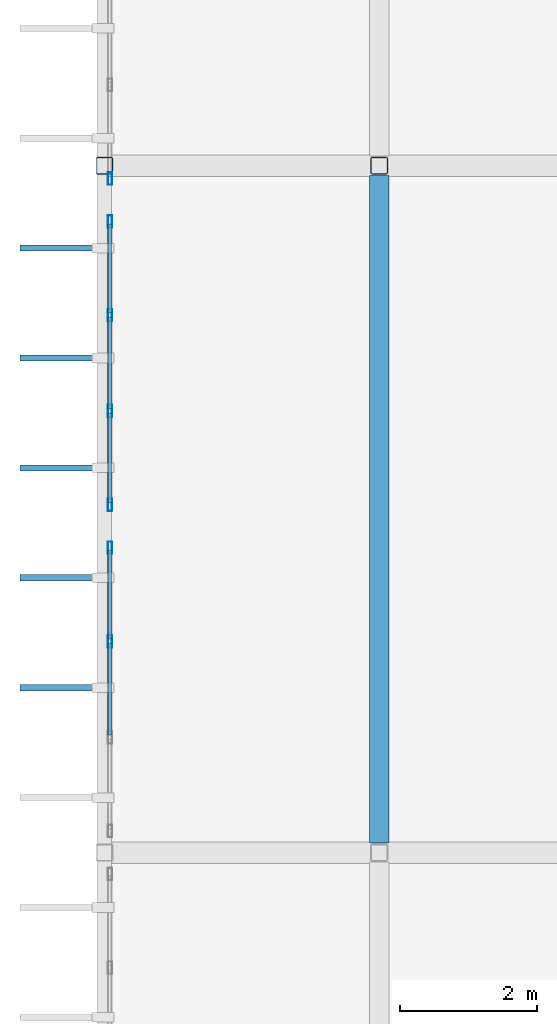
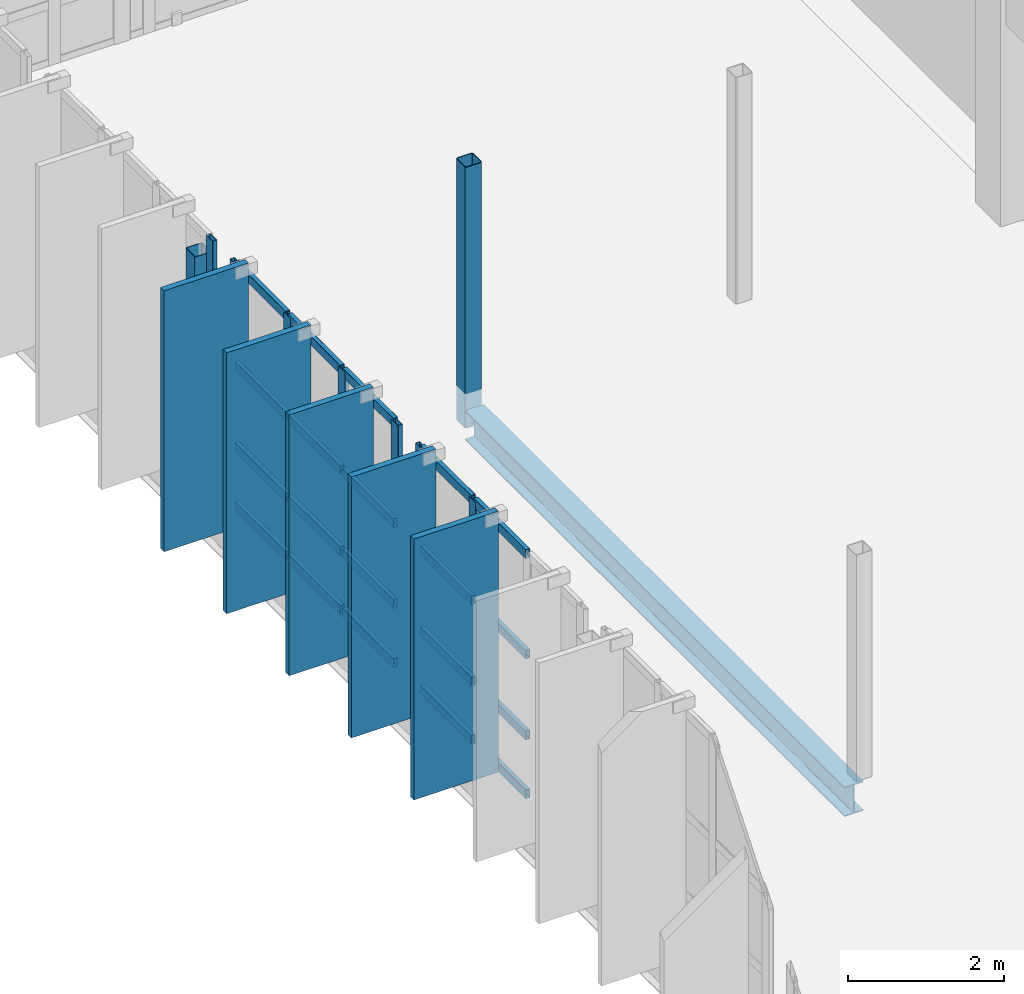
# One storey, part 27 of 80: 34 members, 1 beam, 3 elements without a shape of their own.
"""IFC4 building model written with IfcOpenShell, lengths in metres."""

from ifc_helpers import new_model, si_unit, direction, frame, origin, origin_2d, place, context, subcontext, project, spatial, rectangle, hollow_rectangle, i_section, extrude, material, material_profile, profile_set, type_object, element, aggregate, save


model = new_model("IFC4")

# Units and contexts
model_context = context("Model", 3, precision=1e-05, world=origin(), true_north=direction((0.0, 1.0)))
body_context = subcontext(model_context, "Body", "Model", "MODEL_VIEW")
ifc_project = project(units=[si_unit("LENGTHUNIT", "METRE"), si_unit("AREAUNIT", "SQUARE_METRE"), si_unit("VOLUMEUNIT", "CUBIC_METRE"), si_unit("PLANEANGLEUNIT", "RADIAN"), si_unit("MASSUNIT", "GRAM", prefix="KILO")], contexts=[model_context])

# Site, building, storey
site_placement = place(None, origin())
site = spatial("IfcSite", under=ifc_project, at=site_placement, CompositionType="ELEMENT")
building_placement = place(site_placement, origin())
building = spatial("IfcBuilding", under=site, at=building_placement, Name="Miravela Opera House", CompositionType="ELEMENT")
storey_placement = place(building_placement, frame((0.0, 0.0, 17.679931640625)))
storey = spatial("IfcBuildingStorey", under=building, at=storey_placement, Name="L04", CompositionType="ELEMENT", Elevation=17.679931640625)

# Curtain wall, members
ifc_material_1 = material(Name="Anodised architectural bronze aluminium 6063-T6", Category="aluminium")
curtain_wall_type = type_object("IfcCurtainWallType", Name="ARC-CW-02", PredefinedType="NOTDEFINED", material=ifc_material_1)
curtain_wall_1_placement = place(storey_placement, origin())
curtain_wall_1 = element("IfcCurtainWall", 1, at=curtain_wall_1_placement, inside=storey, type_object=curtain_wall_type, Name="Cantilever West Wrapper Glazing B5 CW-L04-031", PredefinedType="NOTDEFINED")
ifc_material_profile_1 = material_profile(ifc_material_1, hollow_rectangle(XDim=0.06494140625, YDim=0.179931640625, WallThickness=0.00390625, InnerFilletRadius=0.001953125, OuterFilletRadius=0.00390625, at=origin_2d()), Name="CWM-65X180")
ifc_profile_set_1 = profile_set([ifc_material_profile_1])
member_type_1 = type_object("IfcMemberType", Name="ARC-CWM-180", PredefinedType="MULLION", material=ifc_profile_set_1)
member_1_placement = place(storey_placement, frame((15.080078125, 59.0732421875, 0.0), z_axis=(0.0, 0.0, 1.0), x_axis=(-1.0, 0.0, 0.0)))
member_1 = element("IfcMember", 2, at=member_1_placement, type_object=member_type_1, Name="CW-02 mullion 3", PredefinedType="MULLION", context=body_context, shape_type="SweptSolid", body=[
    extrude(hollow_rectangle(XDim=0.06494140625, YDim=0.179931640625, WallThickness=0.00390625, InnerFilletRadius=0.001953125, OuterFilletRadius=0.00390625, at=origin_2d()), origin(), (0.0, 0.0, 1.0), 3.820068359375),
])
member_2_placement = place(storey_placement, frame((15.080078125, 60.4375, 0.0), z_axis=(0.0, 0.0, 1.0), x_axis=(-1.0, 0.0, 0.0)))
member_2 = element("IfcMember", 3, at=member_2_placement, type_object=member_type_1, Name="CW-02 mullion 4", PredefinedType="MULLION", context=body_context, shape_type="SweptSolid", body=[
    extrude(hollow_rectangle(XDim=0.06494140625, YDim=0.179931640625, WallThickness=0.00390625, InnerFilletRadius=0.001953125, OuterFilletRadius=0.00390625, at=origin_2d()), origin(), (0.0, 0.0, 1.0), 3.820068359375),
])

curtain_wall_2_placement = place(storey_placement, origin())
curtain_wall_2 = element("IfcCurtainWall", 4, at=curtain_wall_2_placement, inside=storey, type_object=curtain_wall_type, Name="Cantilever West Wrapper Glazing B6 CW-L04-032", PredefinedType="NOTDEFINED")
member_3_placement = place(storey_placement, frame((15.080078125, 61.0625, 0.0), z_axis=(0.0, 0.0, 1.0), x_axis=(-1.0, 0.0, 0.0)))
member_3 = element("IfcMember", 5, at=member_3_placement, type_object=member_type_1, Name="CW-02 mullion 1", PredefinedType="MULLION", context=body_context, shape_type="SweptSolid", body=[
    extrude(hollow_rectangle(XDim=0.06494140625, YDim=0.179931640625, WallThickness=0.00390625, InnerFilletRadius=0.001953125, OuterFilletRadius=0.00390625, at=origin_2d()), origin(), (0.0, 0.0, 1.0), 3.820068359375),
])
member_4_placement = place(storey_placement, frame((15.080078125, 62.4267578125, 0.0), z_axis=(0.0, 0.0, 1.0), x_axis=(-1.0, 0.0, 0.0)))
member_4 = element("IfcMember", 6, at=member_4_placement, type_object=member_type_1, Name="CW-02 mullion 2", PredefinedType="MULLION", context=body_context, shape_type="SweptSolid", body=[
    extrude(hollow_rectangle(XDim=0.06494140625, YDim=0.179931640625, WallThickness=0.00390625, InnerFilletRadius=0.001953125, OuterFilletRadius=0.00390625, at=origin_2d()), origin(), (0.0, 0.0, 1.0), 3.820068359375),
])
member_5_placement = place(storey_placement, frame((15.080078125, 63.8232421875, 0.0), z_axis=(0.0, 0.0, 1.0), x_axis=(-1.0, 0.0, 0.0)))
member_5 = element("IfcMember", 7, at=member_5_placement, type_object=member_type_1, Name="CW-02 mullion 3", PredefinedType="MULLION", context=body_context, shape_type="SweptSolid", body=[
    extrude(hollow_rectangle(XDim=0.06494140625, YDim=0.179931640625, WallThickness=0.00390625, InnerFilletRadius=0.001953125, OuterFilletRadius=0.00390625, at=origin_2d()), origin(), (0.0, 0.0, 1.0), 3.820068359375),
])
member_6_placement = place(storey_placement, frame((15.080078125, 65.1875, 0.0), z_axis=(0.0, 0.0, 1.0), x_axis=(-1.0, 0.0, 0.0)))
member_6 = element("IfcMember", 8, at=member_6_placement, type_object=member_type_1, Name="CW-02 mullion 4", PredefinedType="MULLION", context=body_context, shape_type="SweptSolid", body=[
    extrude(hollow_rectangle(XDim=0.06494140625, YDim=0.179931640625, WallThickness=0.00390625, InnerFilletRadius=0.001953125, OuterFilletRadius=0.00390625, at=origin_2d()), origin(), (0.0, 0.0, 1.0), 3.820068359375),
])

# Curtain wall, member
curtain_wall_3_placement = place(storey_placement, origin())
curtain_wall_3 = element("IfcCurtainWall", 9, at=curtain_wall_3_placement, inside=storey, type_object=curtain_wall_type, Name="Cantilever West Wrapper Glazing B7 CW-L04-033", PredefinedType="NOTDEFINED")
member_7_placement = place(storey_placement, frame((15.080078125, 65.8125, 0.0), z_axis=(0.0, 0.0, 1.0), x_axis=(-1.0, 0.0, 0.0)))
member_7 = element("IfcMember", 10, at=member_7_placement, type_object=member_type_1, Name="CW-02 mullion 1", PredefinedType="MULLION", context=body_context, shape_type="SweptSolid", body=[
    extrude(hollow_rectangle(XDim=0.06494140625, YDim=0.179931640625, WallThickness=0.00390625, InnerFilletRadius=0.001953125, OuterFilletRadius=0.00390625, at=origin_2d()), origin(), (0.0, 0.0, 1.0), 3.820068359375),
])
aggregate(curtain_wall_3, [member_7])

# Member
ifc_material_profile_2 = material_profile(ifc_material_1, hollow_rectangle(XDim=0.06494140625, YDim=0.139892578125, WallThickness=0.00390625, InnerFilletRadius=0.001953125, OuterFilletRadius=0.00390625, at=origin_2d()), Name="CWT-65X140")
ifc_profile_set_2 = profile_set([ifc_material_profile_2])
member_type_2 = type_object("IfcMemberType", Name="ARC-CWT-140", PredefinedType="USERDEFINED", material=ifc_profile_set_2)
member_8_placement = place(storey_placement, frame((15.080078125, 57.709228515625, 0.032470703125), z_axis=(0.0, 1.0, 0.0), x_axis=(-1.0, 0.0, 0.0)))
member_8 = element("IfcMember", 11, at=member_8_placement, type_object=member_type_2, Name="CW-02 transom 2.1", ObjectType="TRANSOM", PredefinedType="USERDEFINED", context=body_context, shape_type="SweptSolid", body=[
    extrude(hollow_rectangle(XDim=0.06494140625, YDim=0.139892578125, WallThickness=0.00390625, InnerFilletRadius=0.001953125, OuterFilletRadius=0.00390625, at=origin_2d()), origin(), (0.0, 0.0, 1.0), 1.33154296875),
])

member_9_placement = place(storey_placement, frame((15.080078125, 57.709228515625, 0.949951171875), z_axis=(0.0, 1.0, 0.0), x_axis=(-1.0, 0.0, 0.0)))
member_9 = element("IfcMember", 12, at=member_9_placement, type_object=member_type_2, Name="CW-02 transom 2.2", ObjectType="TRANSOM", PredefinedType="USERDEFINED", context=body_context, shape_type="SweptSolid", body=[
    extrude(hollow_rectangle(XDim=0.06494140625, YDim=0.139892578125, WallThickness=0.00390625, InnerFilletRadius=0.001953125, OuterFilletRadius=0.00390625, at=origin_2d()), origin(), (0.0, 0.0, 1.0), 1.33154296875),
])

member_10_placement = place(storey_placement, frame((15.080078125, 57.709228515625, 2.215576171875), z_axis=(0.0, 1.0, 0.0), x_axis=(-1.0, 0.0, 0.0)))
member_10 = element("IfcMember", 13, at=member_10_placement, type_object=member_type_2, Name="CW-02 transom 2.3", ObjectType="TRANSOM", PredefinedType="USERDEFINED", context=body_context, shape_type="SweptSolid", body=[
    extrude(hollow_rectangle(XDim=0.06494140625, YDim=0.139892578125, WallThickness=0.00390625, InnerFilletRadius=0.001953125, OuterFilletRadius=0.00390625, at=origin_2d()), origin(), (0.0, 0.0, 1.0), 1.33154296875),
])

member_11_placement = place(storey_placement, frame((15.080078125, 57.709228515625, 3.78759765625), z_axis=(0.0, 1.0, 0.0), x_axis=(-1.0, 0.0, 0.0)))
member_11 = element("IfcMember", 14, at=member_11_placement, type_object=member_type_2, Name="CW-02 transom 2.4", ObjectType="TRANSOM", PredefinedType="USERDEFINED", context=body_context, shape_type="SweptSolid", body=[
    extrude(hollow_rectangle(XDim=0.06494140625, YDim=0.139892578125, WallThickness=0.00390625, InnerFilletRadius=0.001953125, OuterFilletRadius=0.00390625, at=origin_2d()), origin(), (0.0, 0.0, 1.0), 1.33154296875),
])

member_12_placement = place(storey_placement, frame((15.080078125, 59.105712890625, 0.032470703125), z_axis=(0.0, 1.0, 0.0), x_axis=(-1.0, 0.0, 0.0)))
member_12 = element("IfcMember", 15, at=member_12_placement, type_object=member_type_2, Name="CW-02 transom 3.1", ObjectType="TRANSOM", PredefinedType="USERDEFINED", context=body_context, shape_type="SweptSolid", body=[
    extrude(hollow_rectangle(XDim=0.06494140625, YDim=0.139892578125, WallThickness=0.00390625, InnerFilletRadius=0.001953125, OuterFilletRadius=0.00390625, at=origin_2d()), origin(), (0.0, 0.0, 1.0), 1.29931640625),
])

member_13_placement = place(storey_placement, frame((15.080078125, 59.105712890625, 0.949951171875), z_axis=(0.0, 1.0, 0.0), x_axis=(-1.0, 0.0, 0.0)))
member_13 = element("IfcMember", 16, at=member_13_placement, type_object=member_type_2, Name="CW-02 transom 3.2", ObjectType="TRANSOM", PredefinedType="USERDEFINED", context=body_context, shape_type="SweptSolid", body=[
    extrude(hollow_rectangle(XDim=0.06494140625, YDim=0.139892578125, WallThickness=0.00390625, InnerFilletRadius=0.001953125, OuterFilletRadius=0.00390625, at=origin_2d()), origin(), (0.0, 0.0, 1.0), 1.29931640625),
])

member_14_placement = place(storey_placement, frame((15.080078125, 59.105712890625, 2.215576171875), z_axis=(0.0, 1.0, 0.0), x_axis=(-1.0, 0.0, 0.0)))
member_14 = element("IfcMember", 17, at=member_14_placement, type_object=member_type_2, Name="CW-02 transom 3.3", ObjectType="TRANSOM", PredefinedType="USERDEFINED", context=body_context, shape_type="SweptSolid", body=[
    extrude(hollow_rectangle(XDim=0.06494140625, YDim=0.139892578125, WallThickness=0.00390625, InnerFilletRadius=0.001953125, OuterFilletRadius=0.00390625, at=origin_2d()), origin(), (0.0, 0.0, 1.0), 1.29931640625),
])

member_15_placement = place(storey_placement, frame((15.080078125, 59.105712890625, 3.78759765625), z_axis=(0.0, 1.0, 0.0), x_axis=(-1.0, 0.0, 0.0)))
member_15 = element("IfcMember", 18, at=member_15_placement, type_object=member_type_2, Name="CW-02 transom 3.4", ObjectType="TRANSOM", PredefinedType="USERDEFINED", context=body_context, shape_type="SweptSolid", body=[
    extrude(hollow_rectangle(XDim=0.06494140625, YDim=0.139892578125, WallThickness=0.00390625, InnerFilletRadius=0.001953125, OuterFilletRadius=0.00390625, at=origin_2d()), origin(), (0.0, 0.0, 1.0), 1.29931640625),
])

aggregate(curtain_wall_1, [member_1, member_2, member_8, member_9, member_10, member_11, member_12, member_13, member_14, member_15])

member_16_placement = place(storey_placement, frame((15.080078125, 61.094970703125, 0.032470703125), z_axis=(0.0, 1.0, 0.0), x_axis=(-1.0, 0.0, 0.0)))
member_16 = element("IfcMember", 19, at=member_16_placement, type_object=member_type_2, Name="CW-02 transom 1.1", ObjectType="TRANSOM", PredefinedType="USERDEFINED", context=body_context, shape_type="SweptSolid", body=[
    extrude(hollow_rectangle(XDim=0.06494140625, YDim=0.139892578125, WallThickness=0.00390625, InnerFilletRadius=0.001953125, OuterFilletRadius=0.00390625, at=origin_2d()), origin(), (0.0, 0.0, 1.0), 1.29931640625),
])

member_17_placement = place(storey_placement, frame((15.080078125, 61.094970703125, 0.949951171875), z_axis=(0.0, 1.0, 0.0), x_axis=(-1.0, 0.0, 0.0)))
member_17 = element("IfcMember", 20, at=member_17_placement, type_object=member_type_2, Name="CW-02 transom 1.2", ObjectType="TRANSOM", PredefinedType="USERDEFINED", context=body_context, shape_type="SweptSolid", body=[
    extrude(hollow_rectangle(XDim=0.06494140625, YDim=0.139892578125, WallThickness=0.00390625, InnerFilletRadius=0.001953125, OuterFilletRadius=0.00390625, at=origin_2d()), origin(), (0.0, 0.0, 1.0), 1.29931640625),
])

member_18_placement = place(storey_placement, frame((15.080078125, 61.094970703125, 2.215576171875), z_axis=(0.0, 1.0, 0.0), x_axis=(-1.0, 0.0, 0.0)))
member_18 = element("IfcMember", 21, at=member_18_placement, type_object=member_type_2, Name="CW-02 transom 1.3", ObjectType="TRANSOM", PredefinedType="USERDEFINED", context=body_context, shape_type="SweptSolid", body=[
    extrude(hollow_rectangle(XDim=0.06494140625, YDim=0.139892578125, WallThickness=0.00390625, InnerFilletRadius=0.001953125, OuterFilletRadius=0.00390625, at=origin_2d()), origin(), (0.0, 0.0, 1.0), 1.29931640625),
])

member_19_placement = place(storey_placement, frame((15.080078125, 61.094970703125, 3.78759765625), z_axis=(0.0, 1.0, 0.0), x_axis=(-1.0, 0.0, 0.0)))
member_19 = element("IfcMember", 22, at=member_19_placement, type_object=member_type_2, Name="CW-02 transom 1.4", ObjectType="TRANSOM", PredefinedType="USERDEFINED", context=body_context, shape_type="SweptSolid", body=[
    extrude(hollow_rectangle(XDim=0.06494140625, YDim=0.139892578125, WallThickness=0.00390625, InnerFilletRadius=0.001953125, OuterFilletRadius=0.00390625, at=origin_2d()), origin(), (0.0, 0.0, 1.0), 1.29931640625),
])

member_20_placement = place(storey_placement, frame((15.080078125, 62.459228515625, 0.032470703125), z_axis=(0.0, 1.0, 0.0), x_axis=(-1.0, 0.0, 0.0)))
member_20 = element("IfcMember", 23, at=member_20_placement, type_object=member_type_2, Name="CW-02 transom 2.1", ObjectType="TRANSOM", PredefinedType="USERDEFINED", context=body_context, shape_type="SweptSolid", body=[
    extrude(hollow_rectangle(XDim=0.06494140625, YDim=0.139892578125, WallThickness=0.00390625, InnerFilletRadius=0.001953125, OuterFilletRadius=0.00390625, at=origin_2d()), origin(), (0.0, 0.0, 1.0), 1.33154296875),
])

member_21_placement = place(storey_placement, frame((15.080078125, 62.459228515625, 0.949951171875), z_axis=(0.0, 1.0, 0.0), x_axis=(-1.0, 0.0, 0.0)))
member_21 = element("IfcMember", 24, at=member_21_placement, type_object=member_type_2, Name="CW-02 transom 2.2", ObjectType="TRANSOM", PredefinedType="USERDEFINED", context=body_context, shape_type="SweptSolid", body=[
    extrude(hollow_rectangle(XDim=0.06494140625, YDim=0.139892578125, WallThickness=0.00390625, InnerFilletRadius=0.001953125, OuterFilletRadius=0.00390625, at=origin_2d()), origin(), (0.0, 0.0, 1.0), 1.33154296875),
])

member_22_placement = place(storey_placement, frame((15.080078125, 62.459228515625, 2.215576171875), z_axis=(0.0, 1.0, 0.0), x_axis=(-1.0, 0.0, 0.0)))
member_22 = element("IfcMember", 25, at=member_22_placement, type_object=member_type_2, Name="CW-02 transom 2.3", ObjectType="TRANSOM", PredefinedType="USERDEFINED", context=body_context, shape_type="SweptSolid", body=[
    extrude(hollow_rectangle(XDim=0.06494140625, YDim=0.139892578125, WallThickness=0.00390625, InnerFilletRadius=0.001953125, OuterFilletRadius=0.00390625, at=origin_2d()), origin(), (0.0, 0.0, 1.0), 1.33154296875),
])

member_23_placement = place(storey_placement, frame((15.080078125, 62.459228515625, 3.78759765625), z_axis=(0.0, 1.0, 0.0), x_axis=(-1.0, 0.0, 0.0)))
member_23 = element("IfcMember", 26, at=member_23_placement, type_object=member_type_2, Name="CW-02 transom 2.4", ObjectType="TRANSOM", PredefinedType="USERDEFINED", context=body_context, shape_type="SweptSolid", body=[
    extrude(hollow_rectangle(XDim=0.06494140625, YDim=0.139892578125, WallThickness=0.00390625, InnerFilletRadius=0.001953125, OuterFilletRadius=0.00390625, at=origin_2d()), origin(), (0.0, 0.0, 1.0), 1.33154296875),
])

member_24_placement = place(storey_placement, frame((15.080078125, 63.855712890625, 0.032470703125), z_axis=(0.0, 1.0, 0.0), x_axis=(-1.0, 0.0, 0.0)))
member_24 = element("IfcMember", 27, at=member_24_placement, type_object=member_type_2, Name="CW-02 transom 3.1", ObjectType="TRANSOM", PredefinedType="USERDEFINED", context=body_context, shape_type="SweptSolid", body=[
    extrude(hollow_rectangle(XDim=0.06494140625, YDim=0.139892578125, WallThickness=0.00390625, InnerFilletRadius=0.001953125, OuterFilletRadius=0.00390625, at=origin_2d()), origin(), (0.0, 0.0, 1.0), 1.29931640625),
])

member_25_placement = place(storey_placement, frame((15.080078125, 63.855712890625, 0.949951171875), z_axis=(0.0, 1.0, 0.0), x_axis=(-1.0, 0.0, 0.0)))
member_25 = element("IfcMember", 28, at=member_25_placement, type_object=member_type_2, Name="CW-02 transom 3.2", ObjectType="TRANSOM", PredefinedType="USERDEFINED", context=body_context, shape_type="SweptSolid", body=[
    extrude(hollow_rectangle(XDim=0.06494140625, YDim=0.139892578125, WallThickness=0.00390625, InnerFilletRadius=0.001953125, OuterFilletRadius=0.00390625, at=origin_2d()), origin(), (0.0, 0.0, 1.0), 1.29931640625),
])

member_26_placement = place(storey_placement, frame((15.080078125, 63.855712890625, 2.215576171875), z_axis=(0.0, 1.0, 0.0), x_axis=(-1.0, 0.0, 0.0)))
member_26 = element("IfcMember", 29, at=member_26_placement, type_object=member_type_2, Name="CW-02 transom 3.3", ObjectType="TRANSOM", PredefinedType="USERDEFINED", context=body_context, shape_type="SweptSolid", body=[
    extrude(hollow_rectangle(XDim=0.06494140625, YDim=0.139892578125, WallThickness=0.00390625, InnerFilletRadius=0.001953125, OuterFilletRadius=0.00390625, at=origin_2d()), origin(), (0.0, 0.0, 1.0), 1.29931640625),
])

member_27_placement = place(storey_placement, frame((15.080078125, 63.855712890625, 3.78759765625), z_axis=(0.0, 1.0, 0.0), x_axis=(-1.0, 0.0, 0.0)))
member_27 = element("IfcMember", 30, at=member_27_placement, type_object=member_type_2, Name="CW-02 transom 3.4", ObjectType="TRANSOM", PredefinedType="USERDEFINED", context=body_context, shape_type="SweptSolid", body=[
    extrude(hollow_rectangle(XDim=0.06494140625, YDim=0.139892578125, WallThickness=0.00390625, InnerFilletRadius=0.001953125, OuterFilletRadius=0.00390625, at=origin_2d()), origin(), (0.0, 0.0, 1.0), 1.29931640625),
])

aggregate(curtain_wall_2, [member_3, member_4, member_5, member_6, member_16, member_17, member_18, member_19, member_20, member_21, member_22, member_23, member_24, member_25, member_26, member_27])

# Members
ifc_material_profile_3 = material_profile(ifc_material_1, rectangle(XDim=0.090087890625, YDim=1.25, at=origin_2d()), Name="FIN-1250X90")
ifc_profile_set_3 = profile_set([ifc_material_profile_3])
member_type_3 = type_object("IfcMemberType", Name="ARC-FIN-1250", PredefinedType="USERDEFINED", material=ifc_profile_set_3)
for number, where, z_axis, x_axis, name in (
    (31, (14.39501953125, 58.39990234375, 0.0), (0.0, 0.0, 1.0), (0.0, 1.0, 0.0), "Auditorium Wrapper Bronze Solar Fin FIN-L04-WEST-0086"),
    (32, (14.39501953125, 60.0, 0.0), (0.0, 0.0, 1.0), (0.0, 1.0, 0.0), "Auditorium Wrapper Bronze Solar Fin FIN-L04-WEST-0087"),
    (33, (14.39501953125, 61.60009765625, 0.0), (0.0, 0.0, 1.0), (0.0, 1.0, 0.0), "Auditorium Wrapper Bronze Solar Fin FIN-L04-WEST-0088"),
    (34, (14.39501953125, 63.199951171875, 0.0), (0.0, 0.0, 1.0), (0.0, 1.0, 0.0), "Auditorium Wrapper Bronze Solar Fin FIN-L04-WEST-0089"),
    (35, (14.39501953125, 64.800048828125, 0.0), (0.0, 0.0, 1.0), (0.0, 1.0, 0.0), "Auditorium Wrapper Bronze Solar Fin FIN-L04-WEST-0090"),
):
    element("IfcMember", number, at=place(storey_placement, frame(where, z_axis=z_axis, x_axis=x_axis)), inside=storey, type_object=member_type_3, Name=name, ObjectType="FIN", PredefinedType="USERDEFINED", context=body_context, shape_type="SweptSolid", body=[
        extrude(rectangle(XDim=0.090087890625, YDim=1.25, at=origin_2d()), origin(), (0.0, 0.0, 1.0), 4.080078125),
    ])

# Beam
ifc_material_2 = material(Name="Structural steel ASTM A992 Gr. 50", Category="steel")
ifc_material_profile_4 = material_profile(ifc_material_2, i_section(OverallWidth=0.280029296875, OverallDepth=0.462890625, WebThickness=0.0107421875, FlangeThickness=0.017333984375, FilletRadius=0.014892578125, at=origin_2d()), Name="W460X113")
ifc_profile_set_4 = profile_set([ifc_material_profile_4])
beam_type = type_object("IfcBeamType", Name="STR-BM-W460X113", PredefinedType="BEAM", material=ifc_profile_set_4)
beam_placement = place(storey_placement, frame((19.0, 56.14111328125, -0.471435546875), z_axis=(0.0, 1.0, 0.0), x_axis=(-1.0, 0.0, 0.0)))
element("IfcBeam", 36, at=beam_placement, inside=storey, type_object=beam_type, Name="Cantilever Overhang Beam L04 X=19", PredefinedType="BEAM", context=body_context, shape_type="SweptSolid", body=[
    extrude(i_section(OverallWidth=0.280029296875, OverallDepth=0.462890625, WebThickness=0.0107421875, FlangeThickness=0.017333984375, FilletRadius=0.014892578125, at=origin_2d()), origin(), (0.0, 0.0, 1.0), 9.7177734375),
])

# Members
ifc_material_3 = material(Name="Hollow structural steel ASTM A500 Gr. C", Category="steel")
ifc_material_profile_5 = material_profile(ifc_material_3, hollow_rectangle(XDim=0.25, YDim=0.25, WallThickness=0.011962890625, InnerFilletRadius=0.011962890625, OuterFilletRadius=0.02392578125, at=origin_2d()), Name="HSS250X250X12")
ifc_profile_set_5 = profile_set([ifc_material_profile_5])
member_type_4 = type_object("IfcMemberType", Name="STR-MEM-CANT-POST2", PredefinedType="POST", material=ifc_profile_set_5)
for number, where, z_axis, x_axis, name in (
    (37, (15.0, 66.0, -0.5400390625), (0.0, 0.0, 1.0), (1.0, 0.0, 0.0), "Upper Wrapper Truss Post L04 X=15.0"),
    (38, (19.0, 66.0, -0.5400390625), (0.0, 0.0, 1.0), (1.0, 0.0, 0.0), "Upper Wrapper Truss Post L04 X=19.0"),
):
    element("IfcMember", number, at=place(storey_placement, frame(where, z_axis=z_axis, x_axis=x_axis)), inside=storey, type_object=member_type_4, Name=name, PredefinedType="POST", context=body_context, shape_type="SweptSolid", body=[
        extrude(hollow_rectangle(XDim=0.25, YDim=0.25, WallThickness=0.011962890625, InnerFilletRadius=0.011962890625, OuterFilletRadius=0.02392578125, at=origin_2d()), origin(), (0.0, 0.0, 1.0), 4.080078125),
    ])

save(model, "model.ifc")
